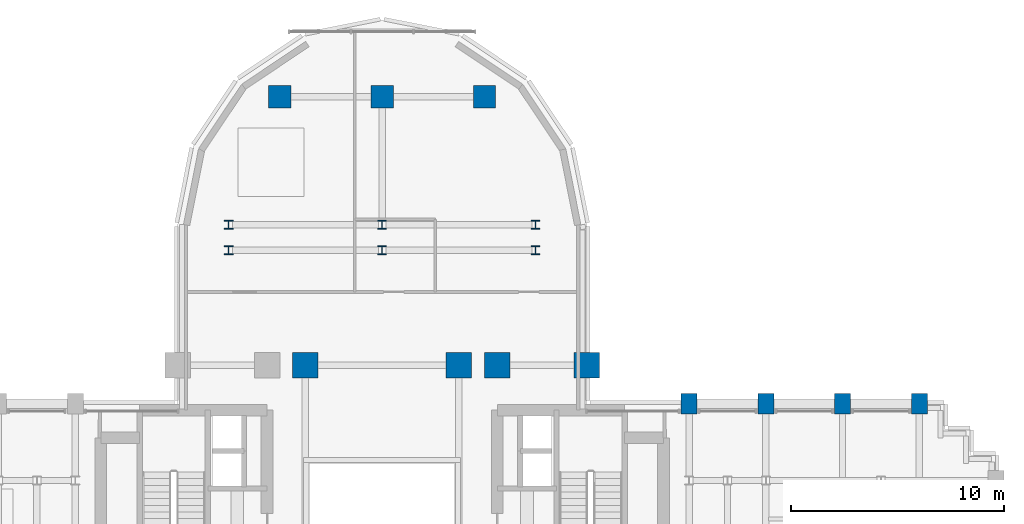
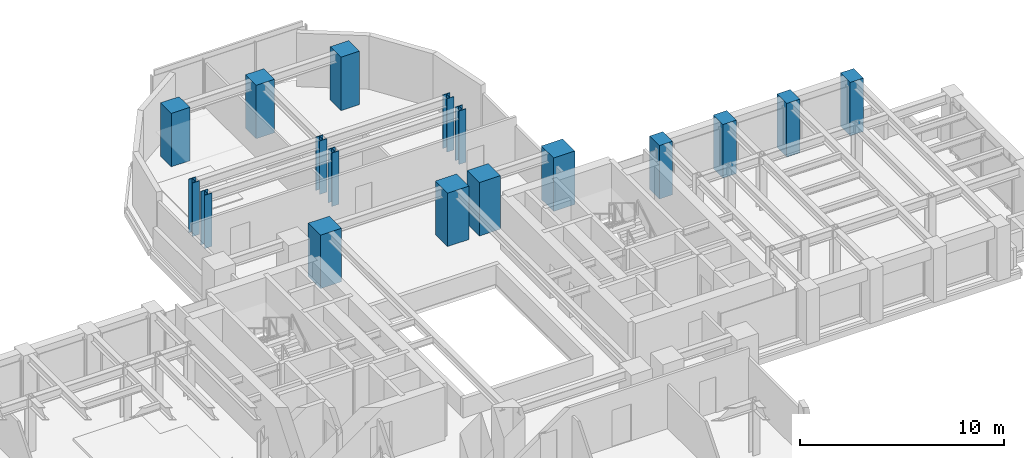
# One storey, part 2 of 16: 17 columns.
"""IFC4 building model written with IfcOpenShell, lengths in metres."""

import ifcopenshell
import ifcopenshell.guid

model = None  # the IFC model being written
_history = None  # IfcOwnerHistory: only IFC2X3 demands one
_inside = {}  # id of a spatial element -> (the spatial element, [elements in it])
_under = {}  # id of a project, library or spatial element -> (it, [spatial elements below it])
_declared = {}  # id of a project -> (the project, [libraries it declares])
_typed = {}  # id of a type object -> (the type object, [elements of that type])
_made_of = {}  # id of a material, layer set ... -> (it, [elements and type objects made of it])


def new_model(schema):
    """Start an empty IFC model of exactly this schema.

    Asked for "IFC4X3", IfcOpenShell would pick the latest addendum, in which some entities
    have other attributes; the version numbers below select the first issue.
    IFC2X3 requires an IfcOwnerHistory on every rooted entity: one is made here for all.
    """
    global model, _history
    if schema == "IFC4X3":
        model = ifcopenshell.file(schema_version=(4, 3, 0, 0))
    else:
        model = ifcopenshell.file(schema=schema)
    _inside.clear()
    _under.clear()
    _declared.clear()
    _typed.clear()
    _made_of.clear()
    _history = None
    if model.schema == "IFC2X3":
        org = make("IfcOrganization", Name="unknown")
        user = make(
            "IfcPersonAndOrganization",
            ThePerson=make("IfcPerson", FamilyName="unknown"),
            TheOrganization=org,
        )
        app = make(
            "IfcApplication",
            ApplicationDeveloper=org,
            Version="unknown",
            ApplicationFullName="unknown",
            ApplicationIdentifier="unknown",
        )
        _history = make(
            "IfcOwnerHistory",
            OwningUser=user,
            OwningApplication=app,
            ChangeAction="ADDED",
            CreationDate=0,
        )
    return model


def make(cls, **values):
    """One entity of the class cls with the attributes given. An attribute that is None is left unset."""
    return model.create_entity(
        cls, **{name: value for name, value in values.items() if value is not None}
    )


def rooted(cls, **values):
    """An entity with a GlobalId (a new one), such as an element, a storey or a relation."""
    return make(cls, GlobalId=ifcopenshell.guid.new(), OwnerHistory=_history, **values)


def si_unit(unit_type, name, prefix=None):
    """IfcSIUnit, for example si_unit("LENGTHUNIT", "METRE", prefix="MILLI")."""
    return make("IfcSIUnit", UnitType=unit_type, Prefix=prefix, Name=name)


def assignment(units):
    """IfcUnitAssignment: the units of a project."""
    return None if units is None else make("IfcUnitAssignment", Units=units)


def point(xyz):
    """IfcCartesianPoint."""
    return None if xyz is None else make("IfcCartesianPoint", Coordinates=xyz)


def direction(xyz):
    """IfcDirection."""
    return None if xyz is None else make("IfcDirection", DirectionRatios=xyz)


def frame(location, z_axis=None, x_axis=None):
    """IfcAxis2Placement3D, a coordinate frame: its origin and axes. An axis left out is left unset."""
    return make(
        "IfcAxis2Placement3D",
        Location=point(location),
        Axis=direction(z_axis),
        RefDirection=direction(x_axis),
    )


def frame_2d(location, x_axis=None):
    """IfcAxis2Placement2D, a coordinate frame in the plane: its origin and x axis."""
    return make(
        "IfcAxis2Placement2D", Location=point(location), RefDirection=direction(x_axis)
    )


def origin():
    """The frame at (0, 0, 0) with its axes left unset."""
    return frame((0.0, 0.0, 0.0))


def origin_2d():
    """The frame at (0, 0) in the plane with its x axis left unset."""
    return frame_2d((0.0, 0.0))


def place(relative_to, where):
    """IfcLocalPlacement: puts the frame where relative to a parent placement (None: the world)."""
    return make(
        "IfcLocalPlacement", PlacementRelTo=relative_to, RelativePlacement=where
    )


def context(
    kind, dimensions, precision=None, world=None, true_north=None, identifier=None
):
    """IfcGeometricRepresentationContext, for example the 3D "Model" context."""
    return make(
        "IfcGeometricRepresentationContext",
        ContextIdentifier=identifier,
        ContextType=kind,
        CoordinateSpaceDimension=dimensions,
        Precision=precision,
        WorldCoordinateSystem=world,
        TrueNorth=true_north,
    )


def subcontext(parent, identifier, kind, view, scale=None):
    """IfcGeometricRepresentationSubContext, for example "Body" below "Model"."""
    return make(
        "IfcGeometricRepresentationSubContext",
        ContextIdentifier=identifier,
        ContextType=kind,
        ParentContext=parent,
        TargetScale=scale,
        TargetView=view,
    )


def project(units=None, contexts=None):
    """IfcProject with its units and contexts."""
    return rooted(
        "IfcProject",
        Name="project",
        RepresentationContexts=contexts,
        UnitsInContext=assignment(units),
    )


def spatial(cls, under=None, at=None, **own):
    """A site, building, storey or space (cls), placed at a placement, below another one or the project."""
    s = rooted(cls, ObjectPlacement=at, **own)
    if under is not None:
        _under.setdefault(under.id(), (under, []))[1].append(s)
    return s


def profile(cls, at=None, kind="AREA", **sizes):
    """A parametric profile (cls). Its sizes go by their IFC names, for example OverallWidth=200.0."""
    return make(cls, ProfileType=kind, Position=at, **sizes)


def rectangle(**sizes):
    """IfcRectangleProfileDef."""
    return profile("IfcRectangleProfileDef", **sizes)


def i_section(**sizes):
    """IfcIShapeProfileDef."""
    return profile("IfcIShapeProfileDef", **sizes)


def extrude(swept, where, along, depth):
    """IfcExtrudedAreaSolid: the profile swept, set in the frame where, extruded along a direction by depth."""
    return make(
        "IfcExtrudedAreaSolid",
        SweptArea=swept,
        Position=where,
        ExtrudedDirection=direction(along),
        Depth=depth,
    )


def shape(context_of_items, identifier, shape_type, items):
    """IfcShapeRepresentation: the items that make up one representation, for example the "Body"."""
    return make(
        "IfcShapeRepresentation",
        ContextOfItems=context_of_items,
        RepresentationIdentifier=identifier,
        RepresentationType=shape_type,
        Items=items,
    )


def source(mapping_origin, context_of_items, identifier, shape_type, items):
    """IfcRepresentationMap: a shape defined once, which mapped items show again and again."""
    return make(
        "IfcRepresentationMap",
        MappingOrigin=mapping_origin,
        MappedRepresentation=shape(context_of_items, identifier, shape_type, items),
    )


def transform(
    local_origin,
    x_axis=None,
    y_axis=None,
    z_axis=None,
    scale=None,
    scale2=None,
    scale3=None,
    uniform=True,
):
    """IfcCartesianTransformationOperator3D, or its non-uniform kind. x_axis, y_axis, z_axis: its Axis1, 2, 3."""
    if uniform:
        return make(
            "IfcCartesianTransformationOperator3D",
            Axis1=direction(x_axis),
            Axis2=direction(y_axis),
            LocalOrigin=point(local_origin),
            Scale=scale,
            Axis3=direction(z_axis),
        )
    return make(
        "IfcCartesianTransformationOperator3DnonUniform",
        Axis1=direction(x_axis),
        Axis2=direction(y_axis),
        LocalOrigin=point(local_origin),
        Scale=scale,
        Axis3=direction(z_axis),
        Scale2=scale2,
        Scale3=scale3,
    )


def mapped(mapping_source, mapping_target):
    """IfcMappedItem: shows the shape of a source again, moved by a transform."""
    return make(
        "IfcMappedItem", MappingSource=mapping_source, MappingTarget=mapping_target
    )


def material(Name=None, Category=None):
    """IfcMaterial."""
    return make("IfcMaterial", Name=Name, Category=Category)


def material_profile(
    of_material, cross_section, Name=None, Category=None, Priority=None
):
    """IfcMaterialProfile: a cross section and its material."""
    return make(
        "IfcMaterialProfile",
        Name=Name,
        Material=of_material,
        Profile=cross_section,
        Priority=Priority,
        Category=Category,
    )


def profile_set(profiles, Name=None, composite=None):
    """IfcMaterialProfileSet."""
    return make(
        "IfcMaterialProfileSet",
        Name=Name,
        MaterialProfiles=profiles,
        CompositeProfile=composite,
    )


def made_of(thing, what):
    """Note that an element or type object is made of a material, layer set ...; save() writes the relation."""
    if what is not None:
        _made_of.setdefault(what.id(), (what, []))[1].append(thing)
    return thing


def type_object(cls, material=None, **own):
    """A type object (cls), such as IfcWallType, which elements share."""
    return made_of(rooted(cls, **own), material)


def element(
    cls,
    number,
    at=None,
    inside=None,
    cuts=None,
    type_object=None,
    material=None,
    context=None,
    identifier="Body",
    shape_type=None,
    held_by="IfcProductDefinitionShape",
    body=None,
    shapes=None,
    **own,
):
    """One element of the class cls, such as IfcWall. Its Tag is "e" and its number.

    at: its placement. inside: the storey or other place that contains it. cuts: it is an
    opening in that element (IfcRelVoidsElement). A single representation is given by context,
    identifier, shape_type and body (its items); several are given by shapes. held_by: the class
    of the entity that holds the representations. save() writes the other relations.
    """
    e = rooted(cls, Tag="e%d" % number, ObjectPlacement=at, **own)
    if body is not None:
        shapes = [shape(context, identifier, shape_type, body)]
    if shapes is not None:
        e.Representation = make(held_by, Representations=shapes)
    if inside is not None:
        _inside.setdefault(inside.id(), (inside, []))[1].append(e)
    if cuts is not None:
        rooted(
            "IfcRelVoidsElement", RelatingBuildingElement=cuts, RelatedOpeningElement=e
        )
    if type_object is not None:
        _typed.setdefault(type_object.id(), (type_object, []))[1].append(e)
    return made_of(e, material)


def aggregate(whole, parts):
    """IfcRelAggregates: a whole, such as a stair, and the parts it consists of."""
    return rooted("IfcRelAggregates", RelatingObject=whole, RelatedObjects=parts)


def save(model, path):
    """Write the relations noted so far, then the file.

    IfcRelAggregates (storeys below a building ...), IfcRelContainedInSpatialStructure (elements
    in a storey), IfcRelDefinesByType, IfcRelAssociatesMaterial and IfcRelDeclares: one each for
    every whole, place, type object, material and project.
    """
    for whole, parts in _under.values():
        aggregate(whole, parts)
    for where, things in _inside.values():
        rooted(
            "IfcRelContainedInSpatialStructure",
            RelatedElements=things,
            RelatingStructure=where,
        )
    for kind, things in _typed.values():
        rooted("IfcRelDefinesByType", RelatedObjects=things, RelatingType=kind)
    for what, things in _made_of.values():
        rooted("IfcRelAssociatesMaterial", RelatedObjects=things, RelatingMaterial=what)
    for by, libraries in _declared.values():
        rooted("IfcRelDeclares", RelatingContext=by, RelatedDefinitions=libraries)
    model.write(path)


model = new_model("IFC4")

# Units and contexts
model_context = context("Model", 3, precision=1e-05, world=origin(), true_north=direction((0.0, 1.0)))
body_context = subcontext(model_context, "Body", "Model", "MODEL_VIEW")
ifc_project = project(units=[si_unit("LENGTHUNIT", "METRE"), si_unit("AREAUNIT", "SQUARE_METRE"), si_unit("VOLUMEUNIT", "CUBIC_METRE"), si_unit("PLANEANGLEUNIT", "RADIAN"), si_unit("MASSUNIT", "GRAM", prefix="KILO")], contexts=[model_context])

# Site, building, storey
site_placement = place(None, origin())
site = spatial("IfcSite", under=ifc_project, at=site_placement, CompositionType="ELEMENT")
building_placement = place(site_placement, origin())
building = spatial("IfcBuilding", under=site, at=building_placement, Name="Keilestroom Media Tower", CompositionType="ELEMENT")
storey_placement = place(building_placement, frame((0.0, 0.0, 71.39990234375)))
storey = spatial("IfcBuildingStorey", under=building, at=storey_placement, Name="L18", CompositionType="ELEMENT", Elevation=71.39990234375)

# Columns
ifc_material_1 = material(Name="Precast concrete C40/50", Category="concrete")
ifc_material_profile_1 = material_profile(ifc_material_1, rectangle(XDim=0.75, YDim=0.949951171875, at=origin_2d()), Name="PC 950x750")
ifc_profile_set_1 = profile_set([ifc_material_profile_1], Name="Precast concrete C40/50")
column_type_1 = type_object("IfcColumnType", Name="Structural-Column-PC-950x750", PredefinedType="COLUMN", material=ifc_profile_set_1)
shared_shape_1 = source(origin(), body_context, "Body", "SweptSolid", [
    extrude(rectangle(XDim=0.75, YDim=0.949951171875, at=origin_2d()), origin(), (0.0, 0.0, 1.0), 3.2001953125),
])
for number, where, z_axis, x_axis, name in (
    (1, (14.39990234375, 7.199951171875, 0.0), (0.0, 0.0, 1.0), (1.0, 0.0, 0.0), "L18 Column PC-1 (+14.4,+7.2)"),
    (2, (18.0, 7.199951171875, 0.0), (0.0, 0.0, 1.0), (1.0, 0.0, 0.0), "L18 Column PC-1 (+18.0,+7.2)"),
    (3, (21.60009765625, 7.199951171875, 0.0), (0.0, 0.0, 1.0), (1.0, 0.0, 0.0), "L18 Column PC-1 (+21.6,+7.2)"),
    (4, (25.199951171875, 7.199951171875, 0.0), (0.0, 0.0, 1.0), (1.0, 0.0, 0.0), "L18 Column PC-1 (+25.2,+7.2)"),
):
    element("IfcColumn", number, at=place(storey_placement, frame(where, z_axis=z_axis, x_axis=x_axis)), inside=storey, type_object=column_type_1, Name=name, PredefinedType="COLUMN", context=body_context, shape_type="MappedRepresentation", body=[
        mapped(shared_shape_1, transform((0.0, 0.0, 0.0), x_axis=(1.0, 0.0, 0.0), y_axis=(0.0, 1.0, 0.0), z_axis=(0.0, 0.0, 1.0), scale=1.0)),
    ])
ifc_material_2 = material(Name="Steel S460", Category="steel")
ifc_material_profile_2 = material_profile(ifc_material_2, i_section(OverallWidth=0.404052734375, OverallDepth=0.406982421875, WebThickness=0.02197265625, FlangeThickness=0.035400390625, at=origin_2d()), Name="HD 400x347")
ifc_profile_set_2 = profile_set([ifc_material_profile_2], Name="Steel S460")
column_type_2 = type_object("IfcColumnType", Name="Structural-Column-HD-400x347", PredefinedType="COLUMN", material=ifc_profile_set_2)
shared_shape_2 = source(origin(), body_context, "Body", "SweptSolid", [
    extrude(i_section(OverallWidth=0.404052734375, OverallDepth=0.406982421875, WebThickness=0.02197265625, FlangeThickness=0.035400390625, at=origin_2d()), origin(), (0.0, 0.0, 1.0), 3.2001953125),
])
for number, where, z_axis, x_axis, name in (
    (5, (-7.199951171875, 14.39990234375, 0.0), (0.0, 0.0, 1.0), (1.0, 0.0, 0.0), "L18 Column SC-2 (-7.2,+14.4)"),
    (6, (-7.199951171875, 15.60009765625, 0.0), (0.0, 0.0, 1.0), (1.0, 0.0, 0.0), "L18 Column SC-2 (-7.2,+15.6)"),
    (7, (0.0, 14.39990234375, 0.0), (0.0, 0.0, 1.0), (1.0, 0.0, 0.0), "L18 Column SC-2 (+0.0,+14.4)"),
    (8, (0.0, 15.60009765625, 0.0), (0.0, 0.0, 1.0), (1.0, 0.0, 0.0), "L18 Column SC-2 (+0.0,+15.6)"),
    (9, (7.199951171875, 14.39990234375, 0.0), (0.0, 0.0, 1.0), (1.0, 0.0, 0.0), "L18 Column SC-2 (+7.2,+14.4)"),
    (10, (7.199951171875, 15.60009765625, 0.0), (0.0, 0.0, 1.0), (1.0, 0.0, 0.0), "L18 Column SC-2 (+7.2,+15.6)"),
):
    element("IfcColumn", number, at=place(storey_placement, frame(where, z_axis=z_axis, x_axis=x_axis)), inside=storey, type_object=column_type_2, Name=name, PredefinedType="COLUMN", context=body_context, shape_type="MappedRepresentation", body=[
        mapped(shared_shape_2, transform((0.0, 0.0, 0.0), x_axis=(1.0, 0.0, 0.0), y_axis=(0.0, 1.0, 0.0), z_axis=(0.0, 0.0, 1.0), scale=1.0)),
    ])
ifc_material_3 = material(Name="Concrete C70/85", Category="concrete")
ifc_material_profile_3 = material_profile(ifc_material_3, rectangle(XDim=1.199951171875, YDim=1.199951171875, at=origin_2d()), Name="RC 1200x1200")
ifc_profile_set_3 = profile_set([ifc_material_profile_3], Name="Concrete C70/85")
column_type_3 = type_object("IfcColumnType", Name="Structural-Column-RC-1200x1200", PredefinedType="COLUMN", material=ifc_profile_set_3)
shared_shape_3 = source(origin(), body_context, "Body", "SweptSolid", [
    extrude(rectangle(XDim=1.199951171875, YDim=1.199951171875, at=origin_2d()), origin(), (0.0, 0.0, 1.0), 3.2001953125),
])
for number, where, z_axis, x_axis, name in (
    (11, (-3.60009765625, 9.0, 0.0), (0.0, 0.0, 1.0), (1.0, 0.0, 0.0), "L18 Column MC-2 (-3.6,+9.0)"),
    (12, (3.60009765625, 9.0, 0.0), (0.0, 0.0, 1.0), (1.0, 0.0, 0.0), "L18 Column MC-2 (+3.6,+9.0)"),
    (13, (5.39990234375, 9.0, 0.0), (0.0, 0.0, 1.0), (1.0, 0.0, 0.0), "L18 Column MC-2 (+5.4,+9.0)"),
    (14, (9.60009765625, 9.0, 0.0), (0.0, 0.0, 1.0), (1.0, 0.0, 0.0), "L18 Column MC-2 (+9.6,+9.0)"),
):
    element("IfcColumn", number, at=place(storey_placement, frame(where, z_axis=z_axis, x_axis=x_axis)), inside=storey, type_object=column_type_3, Name=name, PredefinedType="COLUMN", context=body_context, shape_type="MappedRepresentation", body=[
        mapped(shared_shape_3, transform((0.0, 0.0, 0.0), x_axis=(1.0, 0.0, 0.0), y_axis=(0.0, 1.0, 0.0), z_axis=(0.0, 0.0, 1.0), scale=1.0)),
    ])
ifc_material_4 = material(Name="Concrete C55/67", Category="concrete")
ifc_material_profile_4 = material_profile(ifc_material_4, rectangle(XDim=1.050048828125, YDim=1.050048828125, at=origin_2d()), Name="RC 1050x1050")
ifc_profile_set_4 = profile_set([ifc_material_profile_4], Name="Concrete C55/67")
column_type_4 = type_object("IfcColumnType", Name="Structural-Column-RC-1050x1050", PredefinedType="COLUMN", material=ifc_profile_set_4)
shared_shape_4 = source(origin(), body_context, "Body", "SweptSolid", [
    extrude(rectangle(XDim=1.050048828125, YDim=1.050048828125, at=origin_2d()), origin(), (0.0, 0.0, 1.0), 3.2001953125),
])
for number, where, z_axis, x_axis, name in (
    (15, (-4.800048828125, 21.60009765625, 0.0), (0.0, 0.0, 1.0), (1.0, 0.0, 0.0), "L18 Column MC-3 (-4.8,+21.6)"),
    (16, (0.0, 21.60009765625, 0.0), (0.0, 0.0, 1.0), (1.0, 0.0, 0.0), "L18 Column MC-3 (+0.0,+21.6)"),
    (17, (4.800048828125, 21.60009765625, 0.0), (0.0, 0.0, 1.0), (1.0, 0.0, 0.0), "L18 Column MC-3 (+4.8,+21.6)"),
):
    element("IfcColumn", number, at=place(storey_placement, frame(where, z_axis=z_axis, x_axis=x_axis)), inside=storey, type_object=column_type_4, Name=name, PredefinedType="COLUMN", context=body_context, shape_type="MappedRepresentation", body=[
        mapped(shared_shape_4, transform((0.0, 0.0, 0.0), x_axis=(1.0, 0.0, 0.0), y_axis=(0.0, 1.0, 0.0), z_axis=(0.0, 0.0, 1.0), scale=1.0)),
    ])

save(model, "model.ifc")
